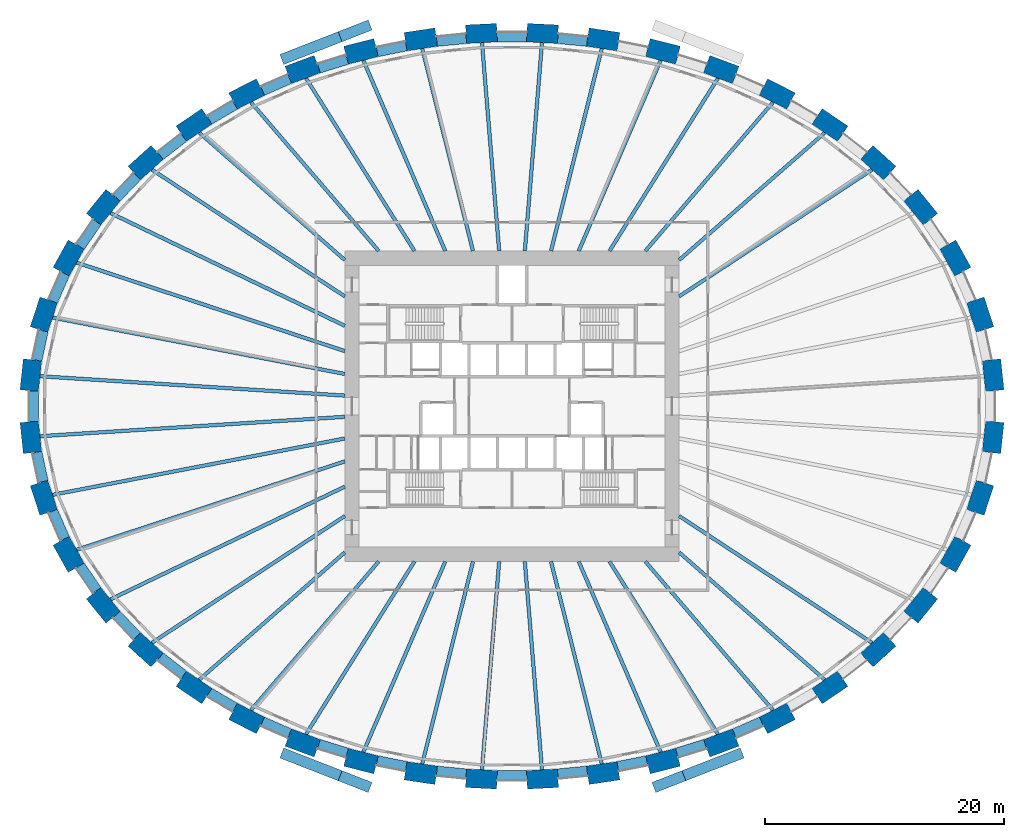
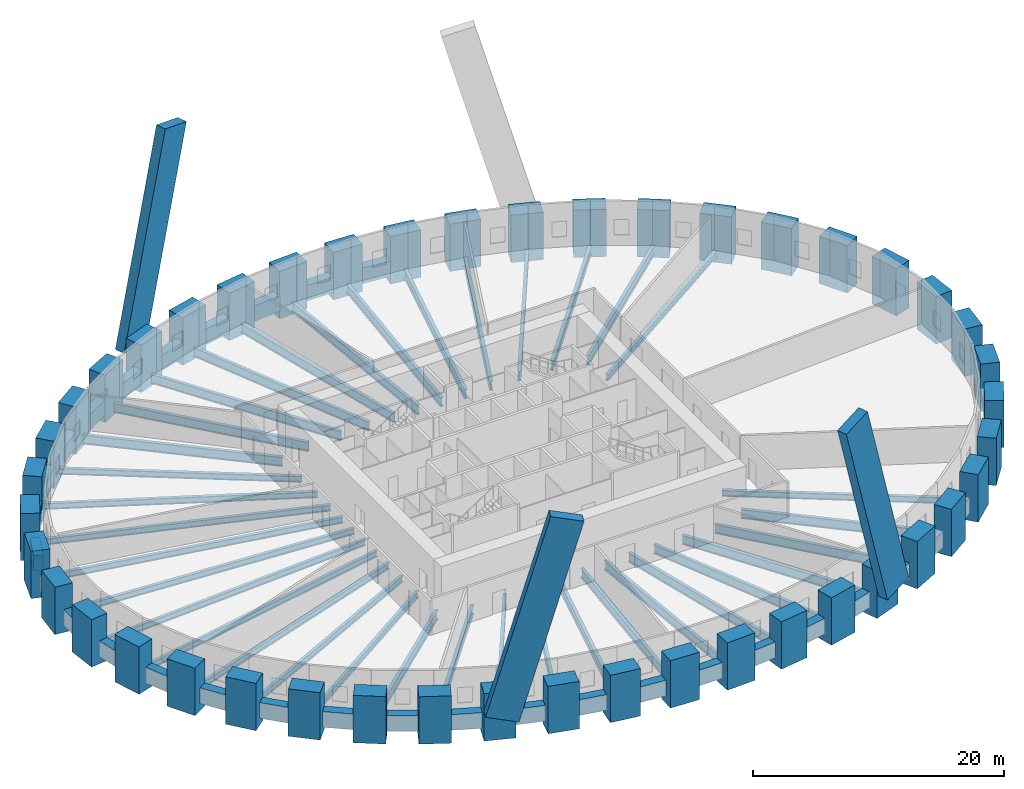
# One storey, part 1 of 9: 64 beams, 44 columns, 3 members.
"""IFC4 building model written with IfcOpenShell, lengths in metres."""

from ifc_helpers import new_model, si_unit, direction, frame, origin, origin_2d, place, context, subcontext, project, spatial, rectangle, i_section, extrude, source, transform, mapped, material, material_profile, profile_set, type_object, element, save


model = new_model("IFC4")

# Units and contexts
model_context = context("Model", 3, precision=1e-05, world=origin(), true_north=direction((0.0, 1.0)))
body_context = subcontext(model_context, "Body", "Model", "MODEL_VIEW")
ifc_project = project(units=[si_unit("LENGTHUNIT", "METRE"), si_unit("AREAUNIT", "SQUARE_METRE"), si_unit("VOLUMEUNIT", "CUBIC_METRE"), si_unit("PLANEANGLEUNIT", "RADIAN"), si_unit("MASSUNIT", "GRAM", prefix="KILO")], contexts=[model_context])

# Site, building, storey
site_placement = place(None, origin())
site = spatial("IfcSite", under=ifc_project, at=site_placement, CompositionType="ELEMENT")
building_placement = place(site_placement, origin())
building = spatial("IfcBuilding", under=site, at=building_placement, Name="Embergate Tower", CompositionType="ELEMENT")
storey_placement = place(building_placement, frame((0.0, 0.0, 53.60009765625)))
storey = spatial("IfcBuildingStorey", under=building, at=storey_placement, Name="L09", CompositionType="ELEMENT", Elevation=53.60009765625)

# Columns
ifc_material_1 = material(Name="Concrete C70", Category="concrete")
ifc_material_profile_1 = material_profile(ifc_material_1, rectangle(XDim=1.550048828125, YDim=2.60009765625, at=origin_2d()), Name="RC 1550x2600")
ifc_profile_set_1 = profile_set([ifc_material_profile_1], Name="Concrete C70")
column_type = type_object("IfcColumnType", Name="Ring column RC 1550x2600 C70", PredefinedType="COLUMN", material=ifc_profile_set_1)
shared_shape_1 = source(origin(), body_context, "Body", "SweptSolid", [
    extrude(rectangle(XDim=1.550048828125, YDim=2.60009765625, at=origin_2d()), origin(), (0.0, 0.0, 1.0), 4.599853515625),
])
for number, where, z_axis, x_axis, name in (
    (1, (40.291015625, 2.593017578125, -1.5), (0.0, 0.0, 1.0), (0.99428589498, 0.106749983816, 0.0), "COL-L09-00"),
    (2, (39.200927734375, 7.659912109375, -1.5), (0.0, 0.0, 1.0), (0.950754033697, 0.309946394413, 0.0), "COL-L09-01"),
    (3, (37.1240234375, 12.39697265625, -1.5), (0.0, 0.0, 1.0), (0.873500465855, 0.486823311018, 0.0), "COL-L09-02"),
    (4, (34.222900390625, 16.6630859375, -1.5), (0.0, 0.0, 1.0), (0.775925311702, 0.630824786022, 0.0), "COL-L09-03"),
    (5, (30.672119140625, 20.386962890625, -1.5), (0.0, 0.0, 1.0), (0.669208424634, 0.74307475021, 0.0), "COL-L09-04"),
    (6, (26.625, 23.5458984375, -1.5), (0.0, 0.0, 1.0), (0.560393279442, 0.828226643109, 0.0), "COL-L09-05"),
    (7, (22.2080078125, 26.14306640625, -1.5), (0.0, 0.0, 1.0), (0.453010512651, 0.891505174089, 0.0), "COL-L09-06"),
    (8, (17.52001953125, 28.193115234375, -1.5), (0.0, 0.0, 1.0), (0.348343015724, 0.93736713373, 0.0), "COL-L09-07"),
    (9, (12.639892578125, 29.712890625, -1.5), (0.0, 0.0, 1.0), (0.24650851817, 0.969140624713, 0.0), "COL-L09-08"),
    (10, (7.633056640625, 30.717041015625, -1.5), (0.0, 0.0, 1.0), (0.146929011949, 0.989147039346, 0.0), "COL-L09-09"),
    (11, (2.552001953125, 31.217041015625, -1.5), (0.0, 0.0, 1.0), (0.048814904854, 0.998807841912, 0.0), "COL-L09-10"),
    (12, (-2.552001953125, 31.217041015625, -1.5), (0.0, 0.0, 1.0), (-0.048814904854, 0.998807841912, 0.0), "COL-L09-11"),
    (13, (-7.633056640625, 30.717041015625, -1.5), (0.0, 0.0, 1.0), (-0.146929011949, 0.989147039346, 0.0), "COL-L09-12"),
    (14, (-12.639892578125, 29.712890625, -1.5), (0.0, 0.0, 1.0), (-0.24650851817, 0.969140624713, 0.0), "COL-L09-13"),
    (15, (-17.52001953125, 28.193115234375, -1.5), (0.0, 0.0, 1.0), (-0.348343015724, 0.93736713373, 0.0), "COL-L09-14"),
    (16, (-22.2080078125, 26.14306640625, -1.5), (0.0, 0.0, 1.0), (-0.453010512651, 0.891505174089, 0.0), "COL-L09-15"),
    (17, (-26.625, 23.5458984375, -1.5), (0.0, 0.0, 1.0), (-0.560393279442, 0.828226643109, 0.0), "COL-L09-16"),
    (18, (-30.672119140625, 20.386962890625, -1.5), (0.0, 0.0, 1.0), (-0.669208424634, 0.74307475021, 0.0), "COL-L09-17"),
    (19, (-34.222900390625, 16.6630859375, -1.5), (0.0, 0.0, 1.0), (-0.775925311702, 0.630824786022, 0.0), "COL-L09-18"),
    (20, (-37.1240234375, 12.39697265625, -1.5), (0.0, 0.0, 1.0), (-0.873500465855, 0.486823311018, 0.0), "COL-L09-19"),
    (21, (-39.200927734375, 7.659912109375, -1.5), (0.0, 0.0, 1.0), (-0.950754033697, 0.309946394413, 0.0), "COL-L09-20"),
    (22, (-40.291015625, 2.593017578125, -1.5), (0.0, 0.0, 1.0), (-0.99428589498, 0.106749983816, 0.0), "COL-L09-21"),
    (23, (-40.291015625, -2.593017578125, -1.5), (0.0, 0.0, 1.0), (-0.99428589498, -0.106749983816, 0.0), "COL-L09-22"),
    (24, (-39.200927734375, -7.659912109375, -1.5), (0.0, 0.0, 1.0), (-0.950754033697, -0.309946394413, 0.0), "COL-L09-23"),
    (25, (-37.1240234375, -12.39697265625, -1.5), (0.0, 0.0, 1.0), (-0.873500465855, -0.486823311018, 0.0), "COL-L09-24"),
    (26, (-34.222900390625, -16.6630859375, -1.5), (0.0, 0.0, 1.0), (-0.775925311702, -0.630824786022, 0.0), "COL-L09-25"),
    (27, (-30.672119140625, -20.386962890625, -1.5), (0.0, 0.0, 1.0), (-0.669208424634, -0.74307475021, 0.0), "COL-L09-26"),
    (28, (-26.625, -23.5458984375, -1.5), (0.0, 0.0, 1.0), (-0.560393279442, -0.828226643109, 0.0), "COL-L09-27"),
    (29, (-22.2080078125, -26.14306640625, -1.5), (0.0, 0.0, 1.0), (-0.453010512651, -0.891505174089, 0.0), "COL-L09-28"),
    (30, (-17.52001953125, -28.193115234375, -1.5), (0.0, 0.0, 1.0), (-0.348343015724, -0.93736713373, 0.0), "COL-L09-29"),
    (31, (-12.639892578125, -29.712890625, -1.5), (0.0, 0.0, 1.0), (-0.24650851817, -0.969140624713, 0.0), "COL-L09-30"),
    (32, (-7.633056640625, -30.717041015625, -1.5), (0.0, 0.0, 1.0), (-0.146929011949, -0.989147039346, 0.0), "COL-L09-31"),
    (33, (-2.552001953125, -31.217041015625, -1.5), (0.0, 0.0, 1.0), (-0.048814904854, -0.998807841912, 0.0), "COL-L09-32"),
    (34, (2.552001953125, -31.217041015625, -1.5), (0.0, 0.0, 1.0), (0.048814904854, -0.998807841912, 0.0), "COL-L09-33"),
    (35, (7.633056640625, -30.717041015625, -1.5), (0.0, 0.0, 1.0), (0.146929011949, -0.989147039346, 0.0), "COL-L09-34"),
    (36, (12.639892578125, -29.712890625, -1.5), (0.0, 0.0, 1.0), (0.24650851817, -0.969140624713, 0.0), "COL-L09-35"),
    (37, (17.52001953125, -28.193115234375, -1.5), (0.0, 0.0, 1.0), (0.348343015724, -0.93736713373, 0.0), "COL-L09-36"),
    (38, (22.2080078125, -26.14306640625, -1.5), (0.0, 0.0, 1.0), (0.453010512651, -0.891505174089, 0.0), "COL-L09-37"),
    (39, (26.625, -23.5458984375, -1.5), (0.0, 0.0, 1.0), (0.560393279442, -0.828226643109, 0.0), "COL-L09-38"),
    (40, (30.672119140625, -20.386962890625, -1.5), (0.0, 0.0, 1.0), (0.669208424634, -0.74307475021, 0.0), "COL-L09-39"),
    (41, (34.222900390625, -16.6630859375, -1.5), (0.0, 0.0, 1.0), (0.775925311702, -0.630824786022, 0.0), "COL-L09-40"),
    (42, (37.1240234375, -12.39697265625, -1.5), (0.0, 0.0, 1.0), (0.873500465855, -0.486823311018, 0.0), "COL-L09-41"),
    (43, (39.200927734375, -7.659912109375, -1.5), (0.0, 0.0, 1.0), (0.950754033697, -0.309946394413, 0.0), "COL-L09-42"),
    (44, (40.291015625, -2.593017578125, -1.5), (0.0, 0.0, 1.0), (0.99428589498, -0.106749983816, 0.0), "COL-L09-43"),
):
    element("IfcColumn", number, at=place(storey_placement, frame(where, z_axis=z_axis, x_axis=x_axis)), inside=storey, type_object=column_type, Name=name, PredefinedType="COLUMN", context=body_context, shape_type="MappedRepresentation", body=[
        mapped(shared_shape_1, transform((0.0, 0.0, 0.0))),
    ])

# Beams
ifc_material_profile_2 = material_profile(ifc_material_1, rectangle(XDim=0.800048828125, YDim=1.5, at=origin_2d()), Name="RC 800x1500")
ifc_profile_set_2 = profile_set([ifc_material_profile_2], Name="Concrete C70")
beam_type_1 = type_object("IfcBeamType", Name="Spandrel beam RC 800x1500 C70", PredefinedType="BEAM", material=ifc_profile_set_2)
shared_shape_2 = source(origin(), body_context, "Body", "SweptSolid", [
    extrude(rectangle(XDim=0.800048828125, YDim=1.5, at=origin_2d()), origin(), (0.0, 0.0, 1.0), 2.51611328125),
])
for number, where, z_axis, x_axis, name in (
    (45, (-39.236083984375, 6.303955078125, 0.0), (-0.210165177079, -0.977665893004, 0.0), (0.977665893004, -0.210165177079, 0.0), "SPN-L09-20"),
    (46, (-39.764892578125, -3.843994140625, 0.0), (0.210165177079, -0.977665893004, 0.0), (0.977665893004, 0.210165177079, 0.0), "SPN-L09-22"),
):
    element("IfcBeam", number, at=place(storey_placement, frame(where, z_axis=z_axis, x_axis=x_axis)), inside=storey, type_object=beam_type_1, Name=name, PredefinedType="BEAM", context=body_context, shape_type="MappedRepresentation", body=[
        mapped(shared_shape_2, transform((0.0, 0.0, 0.0))),
    ])
shared_shape_3 = source(origin(), body_context, "Body", "SweptSolid", [
    extrude(rectangle(XDim=0.800048828125, YDim=1.5, at=origin_2d()), origin(), (0.0, 0.0, 1.0), 2.510986328125),
])
for number, where, z_axis, x_axis, name in (
    (47, (-37.427978515625, 11.077880859375, 0.0), (-0.401451193612, -0.915880417493, 0.0), (0.915880417493, -0.401451193612, 0.0), "SPN-L09-19"),
    (48, (-38.43603515625, -8.778076171875, 0.0), (0.401451193612, -0.915880417493, 0.0), (0.915880417493, 0.401451193612, 0.0), "SPN-L09-23"),
):
    element("IfcBeam", number, at=place(storey_placement, frame(where, z_axis=z_axis, x_axis=x_axis)), inside=storey, type_object=beam_type_1, Name=name, PredefinedType="BEAM", context=body_context, shape_type="MappedRepresentation", body=[
        mapped(shared_shape_3, transform((0.0, 0.0, 0.0))),
    ])
shared_shape_4 = source(origin(), body_context, "Body", "SweptSolid", [
    extrude(rectangle(XDim=0.800048828125, YDim=1.5, at=origin_2d()), origin(), (0.0, 0.0, 1.0), 2.502197265625),
])
for number, where, z_axis, x_axis, name in (
    (49, (-34.7451171875, 15.412109375, 0.0), (-0.562310021407, -0.82692650207, 0.0), (0.82692650207, -0.562310021407, 0.0), "SPN-L09-18"),
    (50, (-36.152099609375, -13.343017578125, 0.0), (0.562310021407, -0.82692650207, 0.0), (0.82692650207, 0.562310021407, 0.0), "SPN-L09-24"),
):
    element("IfcBeam", number, at=place(storey_placement, frame(where, z_axis=z_axis, x_axis=x_axis)), inside=storey, type_object=beam_type_1, Name=name, PredefinedType="BEAM", context=body_context, shape_type="MappedRepresentation", body=[
        mapped(shared_shape_4, transform((0.0, 0.0, 0.0))),
    ])
shared_shape_5 = source(origin(), body_context, "Body", "SweptSolid", [
    extrude(rectangle(XDim=0.800048828125, YDim=1.5, at=origin_2d()), origin(), (0.0, 0.0, 1.0), 2.495361328125),
])
for number, where, z_axis, x_axis, name in (
    (51, (-31.388916015625, 19.239990234375, 0.0), (-0.690128960847, -0.723686408191, 0.0), (0.723686408191, -0.690128960847, 0.0), "SPN-L09-17"),
    (52, (-33.111083984375, -17.43408203125, 0.0), (0.690128960847, -0.723686408191, 0.0), (0.723686408191, 0.690128960847, 0.0), "SPN-L09-25"),
):
    element("IfcBeam", number, at=place(storey_placement, frame(where, z_axis=z_axis, x_axis=x_axis)), inside=storey, type_object=beam_type_1, Name=name, PredefinedType="BEAM", context=body_context, shape_type="MappedRepresentation", body=[
        mapped(shared_shape_5, transform((0.0, 0.0, 0.0))),
    ])
shared_shape_6 = source(origin(), body_context, "Body", "SweptSolid", [
    extrude(rectangle(XDim=0.800048828125, YDim=1.5, at=origin_2d()), origin(), (0.0, 0.0, 1.0), 2.4873046875),
])
for number, where, z_axis, x_axis, name in (
    (53, (-27.487060546875, 22.5009765625, 0.0), (-0.788405187861, -0.615156288885, 0.0), (0.615156288885, -0.788405187861, 0.0), "SPN-L09-16"),
    (54, (-29.447998046875, -20.970947265625, 0.0), (0.788405187861, -0.615156288885, 0.0), (0.615156288885, 0.788405187861, 0.0), "SPN-L09-26"),
):
    element("IfcBeam", number, at=place(storey_placement, frame(where, z_axis=z_axis, x_axis=x_axis)), inside=storey, type_object=beam_type_1, Name=name, PredefinedType="BEAM", context=body_context, shape_type="MappedRepresentation", body=[
        mapped(shared_shape_6, transform((0.0, 0.0, 0.0))),
    ])
shared_shape_7 = source(origin(), body_context, "Body", "SweptSolid", [
    extrude(rectangle(XDim=0.800048828125, YDim=1.5, at=origin_2d()), origin(), (0.0, 0.0, 1.0), 2.4814453125),
])
for number, where, z_axis, x_axis, name in (
    (55, (-23.197998046875, 25.220947265625, 0.0), (-0.861956977044, -0.50698142937, 0.0), (0.50698142937, -0.861956977044, 0.0), "SPN-L09-15"),
    (56, (-25.3369140625, -23.962890625, 0.0), (0.861956977044, -0.50698142937, 0.0), (0.50698142937, 0.861956977044, 0.0), "SPN-L09-27"),
):
    element("IfcBeam", number, at=place(storey_placement, frame(where, z_axis=z_axis, x_axis=x_axis)), inside=storey, type_object=beam_type_1, Name=name, PredefinedType="BEAM", context=body_context, shape_type="MappedRepresentation", body=[
        mapped(shared_shape_7, transform((0.0, 0.0, 0.0))),
    ])
shared_shape_8 = source(origin(), body_context, "Body", "SweptSolid", [
    extrude(rectangle(XDim=0.800048828125, YDim=1.5, at=origin_2d()), origin(), (0.0, 0.0, 1.0), 2.47900390625),
])
for number, where, z_axis, x_axis, name in (
    (57, (-18.611083984375, 27.39599609375, 0.0), (-0.916107600992, -0.400932492328, 0.0), (0.400932492328, -0.916107600992, 0.0), "SPN-L09-14"),
    (58, (-20.882080078125, -26.402099609375, 0.0), (0.916107600992, -0.400932492328, 0.0), (0.400932492328, 0.916107600992, 0.0), "SPN-L09-28"),
    (59, (18.611083984375, -27.39599609375, 0.0), (0.916107600992, 0.400932492328, 0.0), (-0.400932492328, 0.916107600992, 0.0), "SPN-L09-36"),
):
    element("IfcBeam", number, at=place(storey_placement, frame(where, z_axis=z_axis, x_axis=x_axis)), inside=storey, type_object=beam_type_1, Name=name, PredefinedType="BEAM", context=body_context, shape_type="MappedRepresentation", body=[
        mapped(shared_shape_8, transform((0.0, 0.0, 0.0))),
    ])
shared_shape_9 = source(origin(), body_context, "Body", "SweptSolid", [
    extrude(rectangle(XDim=0.800048828125, YDim=1.5, at=origin_2d()), origin(), (0.0, 0.0, 1.0), 2.474853515625),
])
for number, where, z_axis, x_axis, name in (
    (60, (-13.804931640625, 29.02099609375, 0.0), (-0.954863616502, -0.297044565481, 0.0), (0.297044565481, -0.954863616502, 0.0), "SPN-L09-13"),
    (61, (-16.16796875, -28.285888671875, 0.0), (0.954863616502, -0.297044565481, 0.0), (0.297044565481, 0.954863616502, 0.0), "SPN-L09-29"),
    (62, (13.804931640625, -29.02099609375, 0.0), (0.954863616502, 0.297044565481, 0.0), (-0.297044565481, 0.954863616502, 0.0), "SPN-L09-35"),
):
    element("IfcBeam", number, at=place(storey_placement, frame(where, z_axis=z_axis, x_axis=x_axis)), inside=storey, type_object=beam_type_1, Name=name, PredefinedType="BEAM", context=body_context, shape_type="MappedRepresentation", body=[
        mapped(shared_shape_9, transform((0.0, 0.0, 0.0))),
    ])
shared_shape_10 = source(origin(), body_context, "Body", "SweptSolid", [
    extrude(rectangle(XDim=0.800048828125, YDim=1.5, at=origin_2d()), origin(), (0.0, 0.0, 1.0), 2.47119140625),
])
for number, where, z_axis, x_axis, name in (
    (63, (-8.863037109375, 30.14990234375, 0.0), (-0.980481752211, -0.196610105492, 0.0), (0.196610105492, -0.980481752211, 0.0), "SPN-L09-12"),
    (64, (-11.285888671875, -29.6640625, 0.0), (0.980481752211, -0.196610105492, 0.0), (0.196610105492, 0.980481752211, 0.0), "SPN-L09-30"),
    (65, (8.863037109375, -30.14990234375, 0.0), (0.980481752211, 0.196610105492, 0.0), (-0.196610105492, 0.980481752211, 0.0), "SPN-L09-34"),
):
    element("IfcBeam", number, at=place(storey_placement, frame(where, z_axis=z_axis, x_axis=x_axis)), inside=storey, type_object=beam_type_1, Name=name, PredefinedType="BEAM", context=body_context, shape_type="MappedRepresentation", body=[
        mapped(shared_shape_10, transform((0.0, 0.0, 0.0))),
    ])
shared_shape_11 = source(origin(), body_context, "Body", "SweptSolid", [
    extrude(rectangle(XDim=0.800048828125, YDim=1.5, at=origin_2d()), origin(), (0.0, 0.0, 1.0), 2.470947265625),
])
for number, where, z_axis, x_axis, name in (
    (66, (6.291015625, 30.532958984375, 0.0), (-0.995194412241, 0.097918751244, 0.0), (-0.097918751244, -0.995194412241, 0.0), "SPN-L09-09"),
    (67, (-3.83203125, 30.77490234375, 0.0), (-0.995194412241, -0.097918751244, 0.0), (0.097918751244, -0.995194412241, 0.0), "SPN-L09-11"),
    (68, (-6.291015625, -30.532958984375, 0.0), (0.995194412241, -0.097918751244, 0.0), (0.097918751244, 0.995194412241, 0.0), "SPN-L09-31"),
    (69, (3.83203125, -30.77490234375, 0.0), (0.995194412241, 0.097918751244, 0.0), (-0.097918751244, 0.995194412241, 0.0), "SPN-L09-33"),
):
    element("IfcBeam", number, at=place(storey_placement, frame(where, z_axis=z_axis, x_axis=x_axis)), inside=storey, type_object=beam_type_1, Name=name, PredefinedType="BEAM", context=body_context, shape_type="MappedRepresentation", body=[
        mapped(shared_shape_11, transform((0.0, 0.0, 0.0))),
    ])
shared_shape_12 = source(origin(), body_context, "Body", "SweptSolid", [
    extrude(rectangle(XDim=0.800048828125, YDim=1.5, at=origin_2d()), origin(), (0.0, 0.0, 1.0), 2.47021484375),
])
for number, where, z_axis, x_axis, name in (
    (70, (1.235107421875, 30.903076171875, 0.0), (-1.0, 0.0, 0.0), (0.0, -1.0, 0.0), "SPN-L09-10"),
    (71, (-1.235107421875, -30.903076171875, 0.0), (1.0, 0.0, 0.0), (0.0, 1.0, 0.0), "SPN-L09-32"),
):
    element("IfcBeam", number, at=place(storey_placement, frame(where, z_axis=z_axis, x_axis=x_axis)), inside=storey, type_object=beam_type_1, Name=name, PredefinedType="BEAM", context=body_context, shape_type="MappedRepresentation", body=[
        mapped(shared_shape_12, transform((0.0, 0.0, 0.0))),
    ])
shared_shape_13 = source(origin(), body_context, "Body", "SweptSolid", [
    extrude(rectangle(XDim=0.800048828125, YDim=1.5, at=origin_2d()), origin(), (0.0, 0.0, 1.0), 2.51806640625),
])
beam_placement = place(storey_placement, frame((-40.0400390625, 1.259033203125, 0.0), z_axis=(0.0, -1.0, 0.0), x_axis=(1.0, 0.0, 0.0)))
element("IfcBeam", 72, at=beam_placement, inside=storey, type_object=beam_type_1, Name="SPN-L09-21", PredefinedType="BEAM", context=body_context, shape_type="MappedRepresentation", body=[
    mapped(shared_shape_13, transform((0.0, 0.0, 0.0))),
])
ifc_material_2 = material(Name="Steel Q355B", Category="steel")
ifc_material_profile_3 = material_profile(ifc_material_2, i_section(OverallWidth=0.300048828125, OverallDepth=0.587890625, WebThickness=0.011962890625, FlangeThickness=0.02001953125, FilletRadius=0.012939453125, at=origin_2d()), Name="HM 588x300x12x20")
ifc_profile_set_3 = profile_set([ifc_material_profile_3], Name="Steel Q355 grade B")
beam_type_2 = type_object("IfcBeamType", Name="Plant girder HM 588x300x12x20", PredefinedType="BEAM", material=ifc_profile_set_3)
shared_shape_14 = source(origin(), body_context, "Body", "SweptSolid", [
    extrude(i_section(OverallWidth=0.300048828125, OverallDepth=0.587890625, WebThickness=0.011962890625, FlangeThickness=0.02001953125, FilletRadius=0.012939453125, at=origin_2d()), origin(), (0.0, 0.0, 1.0), 25.571533203125),
])
for number, where, z_axis, x_axis, name in (
    (73, (-39.52001953125, 2.510009765625, -0.593994140625), (0.997988535507, -0.063394660631, 0.0), (0.063394660631, 0.997988535507, 0.0), "GIR-L09-21"),
    (74, (-39.52001953125, -2.510009765625, -0.593994140625), (0.997988535507, 0.063394660631, 0.0), (-0.063394660631, 0.997988535507, 0.0), "GIR-L09-22"),
):
    element("IfcBeam", number, at=place(storey_placement, frame(where, z_axis=z_axis, x_axis=x_axis)), inside=storey, type_object=beam_type_2, Name=name, PredefinedType="BEAM", context=body_context, shape_type="MappedRepresentation", body=[
        mapped(shared_shape_14, transform((0.0, 0.0, 0.0))),
    ])
shared_shape_15 = source(origin(), body_context, "Body", "SweptSolid", [
    extrude(i_section(OverallWidth=0.300048828125, OverallDepth=0.587890625, WebThickness=0.011962890625, FlangeThickness=0.02001953125, FilletRadius=0.012939453125, at=origin_2d()), origin(), (0.0, 0.0, 1.0), 24.9150390625),
])
for number, where, z_axis, x_axis, name in (
    (75, (-38.464111328125, 7.419921875, -0.593994140625), (0.981899424358, -0.189403063454, 0.0), (0.189403063454, 0.981899424358, 0.0), "GIR-L09-20"),
    (76, (-38.464111328125, -7.419921875, -0.593994140625), (0.981899424358, 0.189403063454, 0.0), (-0.189403063454, 0.981899424358, 0.0), "GIR-L09-23"),
):
    element("IfcBeam", number, at=place(storey_placement, frame(where, z_axis=z_axis, x_axis=x_axis)), inside=storey, type_object=beam_type_2, Name=name, PredefinedType="BEAM", context=body_context, shape_type="MappedRepresentation", body=[
        mapped(shared_shape_15, transform((0.0, 0.0, 0.0))),
    ])
shared_shape_16 = source(origin(), body_context, "Body", "SweptSolid", [
    extrude(i_section(OverallWidth=0.300048828125, OverallDepth=0.587890625, WebThickness=0.011962890625, FlangeThickness=0.02001953125, FilletRadius=0.012939453125, at=origin_2d()), origin(), (0.0, 0.0, 1.0), 23.63623046875),
])
for number, where, z_axis, x_axis, name in (
    (77, (-36.447021484375, 12.02001953125, -0.593994140625), (0.949684547266, -0.313208015039, 0.0), (0.313208015039, 0.949684547266, 0.0), "GIR-L09-19"),
    (78, (-36.447021484375, -12.02001953125, -0.593994140625), (0.949684547266, 0.313208015039, 0.0), (-0.313208015039, 0.949684547266, 0.0), "GIR-L09-24"),
):
    element("IfcBeam", number, at=place(storey_placement, frame(where, z_axis=z_axis, x_axis=x_axis)), inside=storey, type_object=beam_type_2, Name=name, PredefinedType="BEAM", context=body_context, shape_type="MappedRepresentation", body=[
        mapped(shared_shape_16, transform((0.0, 0.0, 0.0))),
    ])
shared_shape_17 = source(origin(), body_context, "Body", "SweptSolid", [
    extrude(i_section(OverallWidth=0.300048828125, OverallDepth=0.587890625, WebThickness=0.011962890625, FlangeThickness=0.02001953125, FilletRadius=0.012939453125, at=origin_2d()), origin(), (0.0, 0.0, 1.0), 21.774169921875),
])
for number, where, z_axis, x_axis, name in (
    (79, (-33.6220703125, 16.174072265625, -0.593994140625), (0.901157760009, -0.433491282007, 0.0), (0.433491282007, 0.901157760009, 0.0), "GIR-L09-18"),
    (80, (-33.6220703125, -16.174072265625, -0.593994140625), (0.901157760009, 0.433491282007, 0.0), (-0.433491282007, 0.901157760009, 0.0), "GIR-L09-25"),
):
    element("IfcBeam", number, at=place(storey_placement, frame(where, z_axis=z_axis, x_axis=x_axis)), inside=storey, type_object=beam_type_2, Name=name, PredefinedType="BEAM", context=body_context, shape_type="MappedRepresentation", body=[
        mapped(shared_shape_17, transform((0.0, 0.0, 0.0))),
    ])
shared_shape_18 = source(origin(), body_context, "Body", "SweptSolid", [
    extrude(i_section(OverallWidth=0.300048828125, OverallDepth=0.587890625, WebThickness=0.011962890625, FlangeThickness=0.02001953125, FilletRadius=0.012939453125, at=origin_2d()), origin(), (0.0, 0.0, 1.0), 19.32763671875),
])
for number, where, z_axis, x_axis, name in (
    (81, (30.153076171875, 19.81103515625, -0.593994140625), (-0.835749205389, -0.549111341799, 0.0), (0.549111341799, -0.835749205389, 0.0), "GIR-L09-04"),
    (82, (-30.153076171875, 19.81103515625, -0.593994140625), (0.835749205389, -0.549111341799, 0.0), (0.549111341799, 0.835749205389, 0.0), "GIR-L09-17"),
    (83, (-30.153076171875, -19.81103515625, -0.593994140625), (0.835749205389, 0.549111341799, 0.0), (-0.549111341799, 0.835749205389, 0.0), "GIR-L09-26"),
    (84, (30.153076171875, -19.81103515625, -0.593994140625), (-0.835749205389, 0.549111341799, 0.0), (-0.549111341799, -0.835749205389, 0.0), "GIR-L09-39"),
):
    element("IfcBeam", number, at=place(storey_placement, frame(where, z_axis=z_axis, x_axis=x_axis)), inside=storey, type_object=beam_type_2, Name=name, PredefinedType="BEAM", context=body_context, shape_type="MappedRepresentation", body=[
        mapped(shared_shape_18, transform((0.0, 0.0, 0.0))),
    ])
ifc_material_profile_4 = material_profile(ifc_material_2, i_section(OverallWidth=0.300048828125, OverallDepth=0.89990234375, WebThickness=0.01611328125, FlangeThickness=0.028076171875, FilletRadius=0.028076171875, at=origin_2d()), Name="HN 900x300x16x28")
ifc_profile_set_4 = profile_set([ifc_material_profile_4], Name="Steel Q355 grade B")
beam_type_3 = type_object("IfcBeamType", Name="Plant girder HN 900x300x16x28", PredefinedType="BEAM", material=ifc_profile_set_4)
shared_shape_19 = source(origin(), body_context, "Body", "SweptSolid", [
    extrude(i_section(OverallWidth=0.300048828125, OverallDepth=0.89990234375, WebThickness=0.01611328125, FlangeThickness=0.028076171875, FilletRadius=0.028076171875, at=origin_2d()), origin(), (0.0, 0.0, 1.0), 16.195068359375),
])
for number, where, z_axis, x_axis, name in (
    (85, (26.19091796875, 22.904052734375, -0.75), (-0.752757833709, -0.658297534394, 0.0), (0.658297534394, -0.752757833709, 0.0), "GIR-L09-05"),
    (86, (-26.19091796875, 22.904052734375, -0.75), (0.752757833709, -0.658297534394, 0.0), (0.658297534394, 0.752757833709, 0.0), "GIR-L09-16"),
    (87, (-26.19091796875, -22.904052734375, -0.75), (0.752757833709, 0.658297534394, 0.0), (-0.658297534394, 0.752757833709, 0.0), "GIR-L09-27"),
    (88, (26.19091796875, -22.904052734375, -0.75), (-0.752757833709, 0.658297534394, 0.0), (-0.658297534394, -0.752757833709, 0.0), "GIR-L09-38"),
):
    element("IfcBeam", number, at=place(storey_placement, frame(where, z_axis=z_axis, x_axis=x_axis)), inside=storey, type_object=beam_type_3, Name=name, PredefinedType="BEAM", context=body_context, shape_type="MappedRepresentation", body=[
        mapped(shared_shape_19, transform((0.0, 0.0, 0.0))),
    ])
shared_shape_20 = source(origin(), body_context, "Body", "SweptSolid", [
    extrude(i_section(OverallWidth=0.300048828125, OverallDepth=0.89990234375, WebThickness=0.01611328125, FlangeThickness=0.028076171875, FilletRadius=0.028076171875, at=origin_2d()), origin(), (0.0, 0.0, 1.0), 16.4130859375),
])
for number, where, z_axis, x_axis, name in (
    (89, (21.85693359375, 25.451904296875, -0.75), (-0.651486891258, -0.758659891202, 0.0), (0.758659891202, -0.651486891258, 0.0), "GIR-L09-06"),
    (90, (-21.85693359375, 25.451904296875, -0.75), (0.651486891258, -0.758659891202, 0.0), (0.758659891202, 0.651486891258, 0.0), "GIR-L09-15"),
    (91, (-21.85693359375, -25.451904296875, -0.75), (0.651486891258, 0.758659891202, 0.0), (-0.758659891202, 0.651486891258, 0.0), "GIR-L09-28"),
    (92, (21.85693359375, -25.451904296875, -0.75), (-0.651486891258, 0.758659891202, 0.0), (-0.758659891202, -0.651486891258, 0.0), "GIR-L09-37"),
):
    element("IfcBeam", number, at=place(storey_placement, frame(where, z_axis=z_axis, x_axis=x_axis)), inside=storey, type_object=beam_type_3, Name=name, PredefinedType="BEAM", context=body_context, shape_type="MappedRepresentation", body=[
        mapped(shared_shape_20, transform((0.0, 0.0, 0.0))),
    ])
shared_shape_21 = source(origin(), body_context, "Body", "SweptSolid", [
    extrude(i_section(OverallWidth=0.300048828125, OverallDepth=0.89990234375, WebThickness=0.01611328125, FlangeThickness=0.028076171875, FilletRadius=0.028076171875, at=origin_2d()), origin(), (0.0, 0.0, 1.0), 17.08349609375),
])
for number, where, z_axis, x_axis, name in (
    (93, (17.25, 27.467041015625, -0.75), (-0.531851320045, -0.846837749138, 0.0), (0.846837749138, -0.531851320045, 0.0), "GIR-L09-07"),
    (94, (-17.25, 27.467041015625, -0.75), (0.531851320045, -0.846837749138, 0.0), (0.846837749138, 0.531851320045, 0.0), "GIR-L09-14"),
    (95, (-17.25, -27.467041015625, -0.75), (0.531851320045, 0.846837749138, 0.0), (-0.846837749138, 0.531851320045, 0.0), "GIR-L09-29"),
    (96, (17.25, -27.467041015625, -0.75), (-0.531851320045, 0.846837749138, 0.0), (-0.846837749138, -0.531851320045, 0.0), "GIR-L09-36"),
):
    element("IfcBeam", number, at=place(storey_placement, frame(where, z_axis=z_axis, x_axis=x_axis)), inside=storey, type_object=beam_type_3, Name=name, PredefinedType="BEAM", context=body_context, shape_type="MappedRepresentation", body=[
        mapped(shared_shape_21, transform((0.0, 0.0, 0.0))),
    ])
shared_shape_22 = source(origin(), body_context, "Body", "SweptSolid", [
    extrude(i_section(OverallWidth=0.300048828125, OverallDepth=0.89990234375, WebThickness=0.01611328125, FlangeThickness=0.028076171875, FilletRadius=0.028076171875, at=origin_2d()), origin(), (0.0, 0.0, 1.0), 17.3740234375),
])
for number, where, z_axis, x_axis, name in (
    (97, (12.448974609375, 28.9619140625, -0.75), (-0.394904410792, -0.918722213913, 0.0), (0.918722213913, -0.394904410792, 0.0), "GIR-L09-08"),
    (98, (-12.448974609375, 28.9619140625, -0.75), (0.394904410792, -0.918722213913, 0.0), (0.918722213913, 0.394904410792, 0.0), "GIR-L09-13"),
    (99, (-12.448974609375, -28.9619140625, -0.75), (0.394904410792, 0.918722213913, 0.0), (-0.918722213913, 0.394904410792, 0.0), "GIR-L09-30"),
    (100, (12.448974609375, -28.9619140625, -0.75), (-0.394904410792, 0.918722213913, 0.0), (-0.918722213913, -0.394904410792, 0.0), "GIR-L09-35"),
):
    element("IfcBeam", number, at=place(storey_placement, frame(where, z_axis=z_axis, x_axis=x_axis)), inside=storey, type_object=beam_type_3, Name=name, PredefinedType="BEAM", context=body_context, shape_type="MappedRepresentation", body=[
        mapped(shared_shape_22, transform((0.0, 0.0, 0.0))),
    ])
shared_shape_23 = source(origin(), body_context, "Body", "SweptSolid", [
    extrude(i_section(OverallWidth=0.300048828125, OverallDepth=0.89990234375, WebThickness=0.01611328125, FlangeThickness=0.028076171875, FilletRadius=0.028076171875, at=origin_2d()), origin(), (0.0, 0.0, 1.0), 17.475830078125),
])
for number, where, z_axis, x_axis, name in (
    (101, (7.51904296875, 29.949951171875, -0.75), (-0.24348547792, -0.969904542747, 0.0), (0.969904542747, -0.24348547792, 0.0), "GIR-L09-09"),
    (102, (-7.51904296875, 29.949951171875, -0.75), (0.24348547792, -0.969904542747, 0.0), (0.969904542747, 0.24348547792, 0.0), "GIR-L09-12"),
    (103, (-7.51904296875, -29.949951171875, -0.75), (0.24348547792, 0.969904542747, 0.0), (-0.969904542747, 0.24348547792, 0.0), "GIR-L09-31"),
    (104, (7.51904296875, -29.949951171875, -0.75), (-0.24348547792, 0.969904542747, 0.0), (-0.969904542747, -0.24348547792, 0.0), "GIR-L09-34"),
):
    element("IfcBeam", number, at=place(storey_placement, frame(where, z_axis=z_axis, x_axis=x_axis)), inside=storey, type_object=beam_type_3, Name=name, PredefinedType="BEAM", context=body_context, shape_type="MappedRepresentation", body=[
        mapped(shared_shape_23, transform((0.0, 0.0, 0.0))),
    ])
shared_shape_24 = source(origin(), body_context, "Body", "SweptSolid", [
    extrude(i_section(OverallWidth=0.300048828125, OverallDepth=0.89990234375, WebThickness=0.01611328125, FlangeThickness=0.028076171875, FilletRadius=0.028076171875, at=origin_2d()), origin(), (0.0, 0.0, 1.0), 17.50244140625),
])
for number, where, z_axis, x_axis, name in (
    (105, (2.513916015625, 30.443115234375, -0.75), (-0.082270855628, -0.996610007131, 0.0), (0.996610007131, -0.082270855628, 0.0), "GIR-L09-10"),
    (106, (-2.513916015625, 30.443115234375, -0.75), (0.082270855628, -0.996610007131, 0.0), (0.996610007131, 0.082270855628, 0.0), "GIR-L09-11"),
    (107, (-2.513916015625, -30.443115234375, -0.75), (0.082270855628, 0.996610007131, 0.0), (-0.996610007131, 0.082270855628, 0.0), "GIR-L09-32"),
    (108, (2.513916015625, -30.443115234375, -0.75), (-0.082270855628, 0.996610007131, 0.0), (-0.996610007131, -0.082270855628, 0.0), "GIR-L09-33"),
):
    element("IfcBeam", number, at=place(storey_placement, frame(where, z_axis=z_axis, x_axis=x_axis)), inside=storey, type_object=beam_type_3, Name=name, PredefinedType="BEAM", context=body_context, shape_type="MappedRepresentation", body=[
        mapped(shared_shape_24, transform((0.0, 0.0, 0.0))),
    ])

# Members
ifc_material_profile_5 = material_profile(ifc_material_1, rectangle(XDim=0.89990234375, YDim=2.800048828125, at=origin_2d()), Name="RC 900x2800")
ifc_profile_set_5 = profile_set([ifc_material_profile_5], Name="Concrete C70")
member_type = type_object("IfcMemberType", Name="Lattice diagonal terracotta-faced RC 900x2800", PredefinedType="BRACE", material=ifc_profile_set_5)
shared_shape_25 = source(origin(), body_context, "Body", "SweptSolid", [
    extrude(rectangle(XDim=0.89990234375, YDim=2.800048828125, at=origin_2d()), origin(), (0.0, 0.0, 1.0), 19.65771484375),
])
for number, where, z_axis, x_axis, name in (
    (109, (-18.01611328125, 29.529052734375, 1.185791015625), (0.248206848968, 0.096860906435, 0.963852335646), (-0.363541498988, 0.931578004524, 0.0), "BRP-N-1-02"),
    (110, (-18.01611328125, -29.529052734375, 1.185791015625), (0.248206848968, -0.096860906435, 0.963852335646), (0.363541498988, 0.931578004524, 0.0), "BRP-S-0-02"),
    (111, (18.01611328125, -29.529052734375, 1.185791015625), (-0.248206848968, -0.096860906435, 0.963852335646), (0.363541498988, -0.931578004524, 0.0), "BRP-S-1-02"),
):
    element("IfcMember", number, at=place(storey_placement, frame(where, z_axis=z_axis, x_axis=x_axis)), inside=storey, type_object=member_type, Name=name, PredefinedType="BRACE", context=body_context, shape_type="MappedRepresentation", body=[
        mapped(shared_shape_25, transform((0.0, 0.0, 0.0))),
    ])

save(model, "model.ifc")
